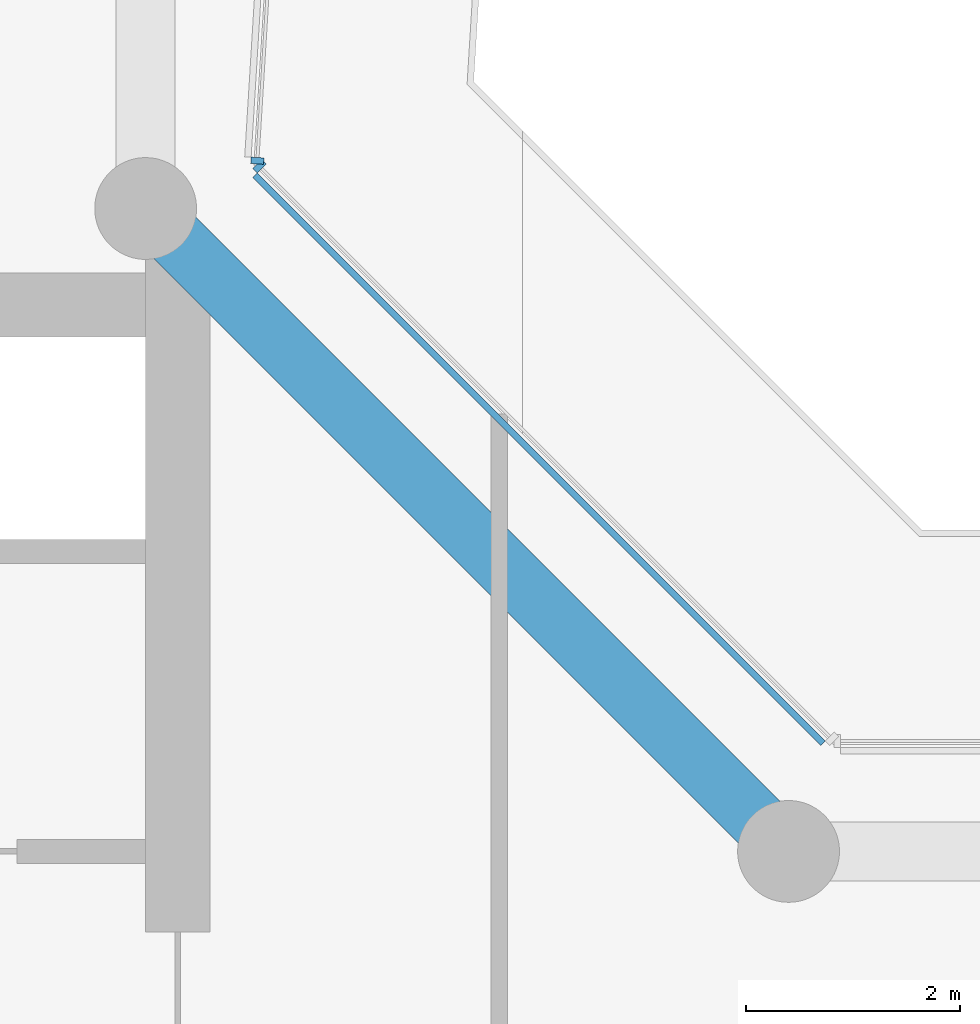
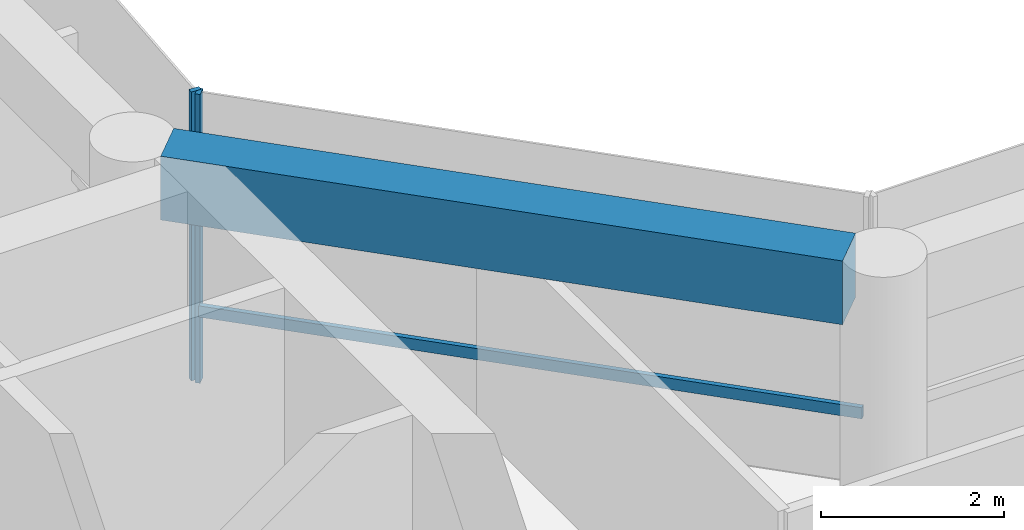
# One storey, part 6 of 22: 3 members, 1 beam, 2 elements without a shape of their own.
"""IFC4 building model written with IfcOpenShell, lengths in metres."""

import ifcopenshell
import ifcopenshell.guid

model = None  # the IFC model being written
_history = None  # IfcOwnerHistory: only IFC2X3 demands one
_inside = {}  # id of a spatial element -> (the spatial element, [elements in it])
_under = {}  # id of a project, library or spatial element -> (it, [spatial elements below it])
_declared = {}  # id of a project -> (the project, [libraries it declares])
_typed = {}  # id of a type object -> (the type object, [elements of that type])
_made_of = {}  # id of a material, layer set ... -> (it, [elements and type objects made of it])


def new_model(schema):
    """Start an empty IFC model of exactly this schema.

    Asked for "IFC4X3", IfcOpenShell would pick the latest addendum, in which some entities
    have other attributes; the version numbers below select the first issue.
    IFC2X3 requires an IfcOwnerHistory on every rooted entity: one is made here for all.
    """
    global model, _history
    if schema == "IFC4X3":
        model = ifcopenshell.file(schema_version=(4, 3, 0, 0))
    else:
        model = ifcopenshell.file(schema=schema)
    _inside.clear()
    _under.clear()
    _declared.clear()
    _typed.clear()
    _made_of.clear()
    _history = None
    if model.schema == "IFC2X3":
        org = make("IfcOrganization", Name="unknown")
        user = make(
            "IfcPersonAndOrganization",
            ThePerson=make("IfcPerson", FamilyName="unknown"),
            TheOrganization=org,
        )
        app = make(
            "IfcApplication",
            ApplicationDeveloper=org,
            Version="unknown",
            ApplicationFullName="unknown",
            ApplicationIdentifier="unknown",
        )
        _history = make(
            "IfcOwnerHistory",
            OwningUser=user,
            OwningApplication=app,
            ChangeAction="ADDED",
            CreationDate=0,
        )
    return model


def make(cls, **values):
    """One entity of the class cls with the attributes given. An attribute that is None is left unset."""
    return model.create_entity(
        cls, **{name: value for name, value in values.items() if value is not None}
    )


def rooted(cls, **values):
    """An entity with a GlobalId (a new one), such as an element, a storey or a relation."""
    return make(cls, GlobalId=ifcopenshell.guid.new(), OwnerHistory=_history, **values)


def si_unit(unit_type, name, prefix=None):
    """IfcSIUnit, for example si_unit("LENGTHUNIT", "METRE", prefix="MILLI")."""
    return make("IfcSIUnit", UnitType=unit_type, Prefix=prefix, Name=name)


def assignment(units):
    """IfcUnitAssignment: the units of a project."""
    return None if units is None else make("IfcUnitAssignment", Units=units)


def point(xyz):
    """IfcCartesianPoint."""
    return None if xyz is None else make("IfcCartesianPoint", Coordinates=xyz)


def direction(xyz):
    """IfcDirection."""
    return None if xyz is None else make("IfcDirection", DirectionRatios=xyz)


def frame(location, z_axis=None, x_axis=None):
    """IfcAxis2Placement3D, a coordinate frame: its origin and axes. An axis left out is left unset."""
    return make(
        "IfcAxis2Placement3D",
        Location=point(location),
        Axis=direction(z_axis),
        RefDirection=direction(x_axis),
    )


def frame_2d(location, x_axis=None):
    """IfcAxis2Placement2D, a coordinate frame in the plane: its origin and x axis."""
    return make(
        "IfcAxis2Placement2D", Location=point(location), RefDirection=direction(x_axis)
    )


def origin():
    """The frame at (0, 0, 0) with its axes left unset."""
    return frame((0.0, 0.0, 0.0))


def origin_2d():
    """The frame at (0, 0) in the plane with its x axis left unset."""
    return frame_2d((0.0, 0.0))


def place(relative_to, where):
    """IfcLocalPlacement: puts the frame where relative to a parent placement (None: the world)."""
    return make(
        "IfcLocalPlacement", PlacementRelTo=relative_to, RelativePlacement=where
    )


def context(
    kind, dimensions, precision=None, world=None, true_north=None, identifier=None
):
    """IfcGeometricRepresentationContext, for example the 3D "Model" context."""
    return make(
        "IfcGeometricRepresentationContext",
        ContextIdentifier=identifier,
        ContextType=kind,
        CoordinateSpaceDimension=dimensions,
        Precision=precision,
        WorldCoordinateSystem=world,
        TrueNorth=true_north,
    )


def subcontext(parent, identifier, kind, view, scale=None):
    """IfcGeometricRepresentationSubContext, for example "Body" below "Model"."""
    return make(
        "IfcGeometricRepresentationSubContext",
        ContextIdentifier=identifier,
        ContextType=kind,
        ParentContext=parent,
        TargetScale=scale,
        TargetView=view,
    )


def project(units=None, contexts=None):
    """IfcProject with its units and contexts."""
    return rooted(
        "IfcProject",
        Name="project",
        RepresentationContexts=contexts,
        UnitsInContext=assignment(units),
    )


def spatial(cls, under=None, at=None, **own):
    """A site, building, storey or space (cls), placed at a placement, below another one or the project."""
    s = rooted(cls, ObjectPlacement=at, **own)
    if under is not None:
        _under.setdefault(under.id(), (under, []))[1].append(s)
    return s


def profile(cls, at=None, kind="AREA", **sizes):
    """A parametric profile (cls). Its sizes go by their IFC names, for example OverallWidth=200.0."""
    return make(cls, ProfileType=kind, Position=at, **sizes)


def rectangle(**sizes):
    """IfcRectangleProfileDef."""
    return profile("IfcRectangleProfileDef", **sizes)


def extrude(swept, where, along, depth):
    """IfcExtrudedAreaSolid: the profile swept, set in the frame where, extruded along a direction by depth."""
    return make(
        "IfcExtrudedAreaSolid",
        SweptArea=swept,
        Position=where,
        ExtrudedDirection=direction(along),
        Depth=depth,
    )


def shape(context_of_items, identifier, shape_type, items):
    """IfcShapeRepresentation: the items that make up one representation, for example the "Body"."""
    return make(
        "IfcShapeRepresentation",
        ContextOfItems=context_of_items,
        RepresentationIdentifier=identifier,
        RepresentationType=shape_type,
        Items=items,
    )


def material(Name=None, Category=None):
    """IfcMaterial."""
    return make("IfcMaterial", Name=Name, Category=Category)


def layer(
    of_material, thickness, ventilated=None, Name=None, Category=None, Priority=None
):
    """IfcMaterialLayer: one layer of a wall or slab, of a material (None: an air gap)."""
    return make(
        "IfcMaterialLayer",
        Material=of_material,
        LayerThickness=thickness,
        IsVentilated=ventilated,
        Name=Name,
        Category=Category,
        Priority=Priority,
    )


def layer_set(layers, Name=None):
    """IfcMaterialLayerSet."""
    return make("IfcMaterialLayerSet", MaterialLayers=layers, LayerSetName=Name)


def material_profile(
    of_material, cross_section, Name=None, Category=None, Priority=None
):
    """IfcMaterialProfile: a cross section and its material."""
    return make(
        "IfcMaterialProfile",
        Name=Name,
        Material=of_material,
        Profile=cross_section,
        Priority=Priority,
        Category=Category,
    )


def profile_set(profiles, Name=None, composite=None):
    """IfcMaterialProfileSet."""
    return make(
        "IfcMaterialProfileSet",
        Name=Name,
        MaterialProfiles=profiles,
        CompositeProfile=composite,
    )


def made_of(thing, what):
    """Note that an element or type object is made of a material, layer set ...; save() writes the relation."""
    if what is not None:
        _made_of.setdefault(what.id(), (what, []))[1].append(thing)
    return thing


def type_object(cls, material=None, **own):
    """A type object (cls), such as IfcWallType, which elements share."""
    return made_of(rooted(cls, **own), material)


def element(
    cls,
    number,
    at=None,
    inside=None,
    cuts=None,
    type_object=None,
    material=None,
    context=None,
    identifier="Body",
    shape_type=None,
    held_by="IfcProductDefinitionShape",
    body=None,
    shapes=None,
    **own,
):
    """One element of the class cls, such as IfcWall. Its Tag is "e" and its number.

    at: its placement. inside: the storey or other place that contains it. cuts: it is an
    opening in that element (IfcRelVoidsElement). A single representation is given by context,
    identifier, shape_type and body (its items); several are given by shapes. held_by: the class
    of the entity that holds the representations. save() writes the other relations.
    """
    e = rooted(cls, Tag="e%d" % number, ObjectPlacement=at, **own)
    if body is not None:
        shapes = [shape(context, identifier, shape_type, body)]
    if shapes is not None:
        e.Representation = make(held_by, Representations=shapes)
    if inside is not None:
        _inside.setdefault(inside.id(), (inside, []))[1].append(e)
    if cuts is not None:
        rooted(
            "IfcRelVoidsElement", RelatingBuildingElement=cuts, RelatedOpeningElement=e
        )
    if type_object is not None:
        _typed.setdefault(type_object.id(), (type_object, []))[1].append(e)
    return made_of(e, material)


def aggregate(whole, parts):
    """IfcRelAggregates: a whole, such as a stair, and the parts it consists of."""
    return rooted("IfcRelAggregates", RelatingObject=whole, RelatedObjects=parts)


def save(model, path):
    """Write the relations noted so far, then the file.

    IfcRelAggregates (storeys below a building ...), IfcRelContainedInSpatialStructure (elements
    in a storey), IfcRelDefinesByType, IfcRelAssociatesMaterial and IfcRelDeclares: one each for
    every whole, place, type object, material and project.
    """
    for whole, parts in _under.values():
        aggregate(whole, parts)
    for where, things in _inside.values():
        rooted(
            "IfcRelContainedInSpatialStructure",
            RelatedElements=things,
            RelatingStructure=where,
        )
    for kind, things in _typed.values():
        rooted("IfcRelDefinesByType", RelatedObjects=things, RelatingType=kind)
    for what, things in _made_of.values():
        rooted("IfcRelAssociatesMaterial", RelatedObjects=things, RelatingMaterial=what)
    for by, libraries in _declared.values():
        rooted("IfcRelDeclares", RelatingContext=by, RelatedDefinitions=libraries)
    model.write(path)


model = new_model("IFC4")

# Units and contexts
model_context = context("Model", 3, precision=1e-05, world=origin(), true_north=direction((0.0, 1.0)))
body_context = subcontext(model_context, "Body", "Model", "MODEL_VIEW")
ifc_project = project(units=[si_unit("LENGTHUNIT", "METRE"), si_unit("AREAUNIT", "SQUARE_METRE"), si_unit("VOLUMEUNIT", "CUBIC_METRE"), si_unit("PLANEANGLEUNIT", "RADIAN"), si_unit("MASSUNIT", "GRAM", prefix="KILO")], contexts=[model_context])

# Site, building, storey
site_placement = place(None, origin())
site = spatial("IfcSite", under=ifc_project, at=site_placement, CompositionType="ELEMENT")
building_placement = place(site_placement, origin())
building = spatial("IfcBuilding", under=site, at=building_placement, Name="Welwitschia Terrace Campus", CompositionType="ELEMENT")
storey_placement = place(building_placement, frame((0.0, 0.0, 155.0)))
storey = spatial("IfcBuildingStorey", under=building, at=storey_placement, Name="L34", CompositionType="ELEMENT", Elevation=155.0)

# Curtain wall, member
ifc_material_1 = material(Name="Bronze anodised aluminium", Category="aluminium")
ifc_layer = layer(ifc_material_1, 0.1201171875)
ifc_layer_set = layer_set([ifc_layer], Name="Bronze anodised aluminium")
curtain_wall_type = type_object("IfcCurtainWallType", Name="Curtain wall CW2 tower 6000", PredefinedType="NOTDEFINED", material=ifc_layer_set)
curtain_wall_1_placement = place(storey_placement, origin())
curtain_wall_1 = element("IfcCurtainWall", 1, at=curtain_wall_1_placement, inside=storey, type_object=curtain_wall_type, Name="CW L34.7.0", PredefinedType="NOTDEFINED")
ifc_material_2 = material(Name="Bronze anodised aluminium", Category="aluminium")
ifc_material_profile_1 = material_profile(ifc_material_2, rectangle(XDim=0.1201171875, YDim=0.06005859375, at=origin_2d()))
ifc_profile_set_1 = profile_set([ifc_material_profile_1], Name="Bronze anodised aluminium")
member_type_1 = type_object("IfcMemberType", Name="Mullion 60x120", PredefinedType="MULLION", material=ifc_profile_set_1)
member_1_placement = place(storey_placement, frame((25.06201171875, 26.394775390625, 0.0), z_axis=(0.0, 0.0, 1.0), x_axis=(-0.707106781187, -0.707106781187, 0.0)))
member_1 = element("IfcMember", 2, at=member_1_placement, type_object=member_type_1, Name="Mullion L34.7.0.1", PredefinedType="MULLION", context=body_context, shape_type="SweptSolid", body=[
    extrude(rectangle(XDim=0.1201171875, YDim=0.06005859375, at=origin_2d()), origin(), (0.0, 0.0, 1.0), 3.85009765625),
])

curtain_wall_2_placement = place(storey_placement, origin())
curtain_wall_2 = element("IfcCurtainWall", 3, at=curtain_wall_2_placement, inside=storey, type_object=curtain_wall_type, Name="CW L34.8.0", PredefinedType="NOTDEFINED")
member_2_placement = place(storey_placement, frame((25.04248046875, 26.44580078125, 0.0), z_axis=(0.0, 0.0, 1.0), x_axis=(-0.998134798422, 0.061048539535, 0.0)))
member_2 = element("IfcMember", 4, at=member_2_placement, type_object=member_type_1, Name="Mullion L34.8.0.0", PredefinedType="MULLION", context=body_context, shape_type="SweptSolid", body=[
    extrude(rectangle(XDim=0.1201171875, YDim=0.06005859375, at=origin_2d()), origin(), (0.0, 0.0, 1.0), 3.85009765625),
])
aggregate(curtain_wall_2, [member_2])

# Beam
ifc_material_3 = material(Name="Concrete C50/60", Category="concrete")
ifc_material_profile_2 = material_profile(ifc_material_3, rectangle(XDim=0.550048828125, YDim=0.85009765625, at=origin_2d()))
ifc_profile_set_2 = profile_set([ifc_material_profile_2], Name="Concrete C50/60")
beam_type = type_object("IfcBeamType", Name="Ring spandrel 550x850", PredefinedType="SPANDREL", material=ifc_profile_set_2)
beam_placement = place(storey_placement, frame((29.7255859375, 20.2744140625, 3.425048828125), z_axis=(-0.707106781187, 0.707106781187, 0.0), x_axis=(-0.707106781187, -0.707106781187, 0.0)))
element("IfcBeam", 5, at=beam_placement, inside=storey, type_object=beam_type, Name="Spandrel SP3", PredefinedType="SPANDREL", context=body_context, shape_type="SweptSolid", body=[
    extrude(rectangle(XDim=0.550048828125, YDim=0.85009765625, at=origin_2d()), origin(), (0.0, 0.0, 1.0), 7.709228515625),
])

# Member
ifc_material_4 = material(Name="Bronze anodised aluminium", Category="aluminium")
ifc_material_profile_3 = material_profile(ifc_material_4, rectangle(XDim=0.06005859375, YDim=0.14990234375, at=origin_2d()))
ifc_profile_set_3 = profile_set([ifc_material_profile_3], Name="Bronze anodised aluminium")
member_type_2 = type_object("IfcMemberType", Name="Transom 60x150", PredefinedType="USERDEFINED", material=ifc_profile_set_3)
member_3_placement = place(storey_placement, frame((30.320556640625, 21.0087890625, 1.0), z_axis=(-0.707106781187, 0.707106781187, 0.0), x_axis=(-0.707106781187, -0.707106781187, 0.0)))
member_3 = element("IfcMember", 6, at=member_3_placement, type_object=member_type_2, Name="Transom L34.7.0", ObjectType="TRANSOM", PredefinedType="USERDEFINED", context=body_context, shape_type="SweptSolid", body=[
    extrude(rectangle(XDim=0.06005859375, YDim=0.14990234375, at=origin_2d()), origin(), (0.0, 0.0, 1.0), 7.496826171875),
])

aggregate(curtain_wall_1, [member_1, member_3])

save(model, "model.ifc")
